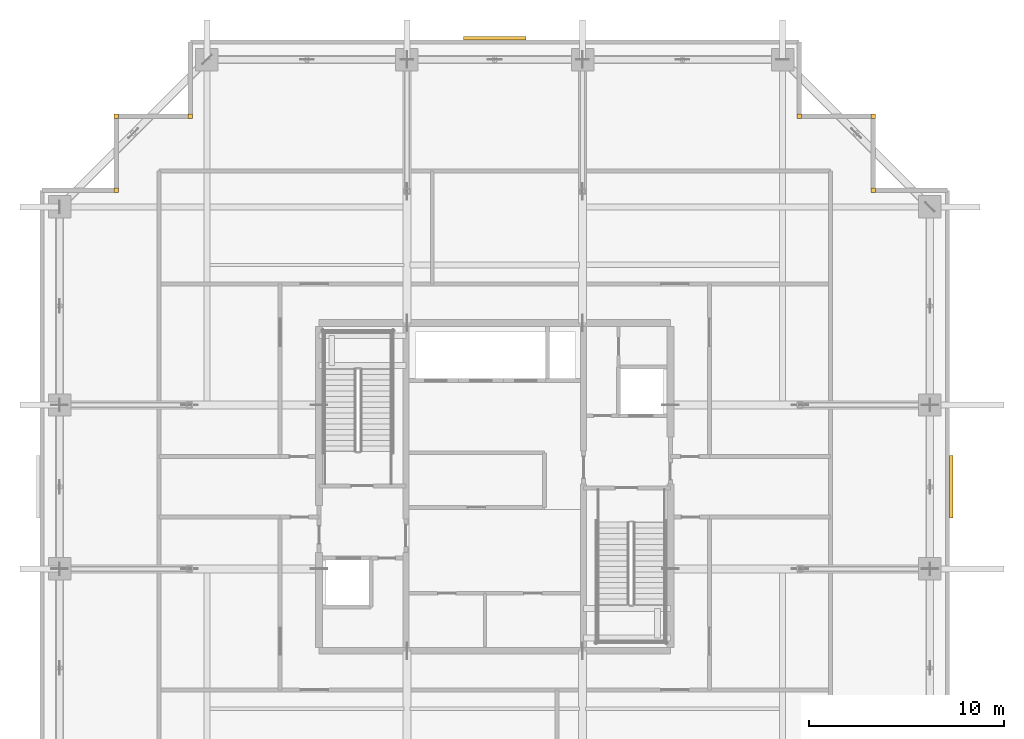
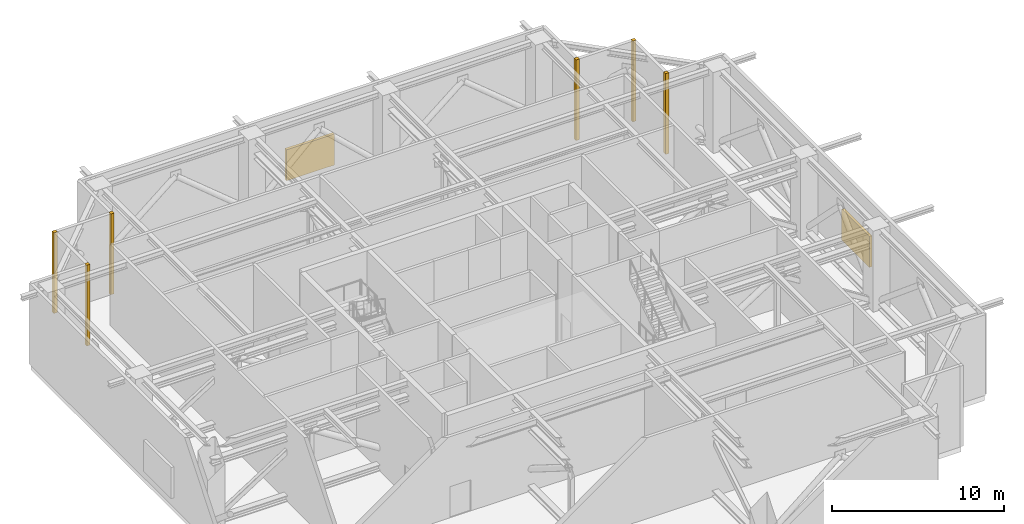
# One storey, part 22 of 22: 6 coverings, 2 shading devices.
"""IFC4 building model written with IfcOpenShell, lengths in metres."""

from ifc_helpers import new_model, si_unit, direction, frame, origin, origin_2d, place, context, subcontext, project, spatial, rectangle, extrude, source, transform, mapped, material, layer, layer_set, type_object, element, save


model = new_model("IFC4")

# Units and contexts
model_context = context("Model", 3, precision=1e-05, world=origin(), true_north=direction((0.0, 1.0)))
body_context = subcontext(model_context, "Body", "Model", "MODEL_VIEW")
ifc_project = project(units=[si_unit("LENGTHUNIT", "METRE"), si_unit("AREAUNIT", "SQUARE_METRE"), si_unit("VOLUMEUNIT", "CUBIC_METRE"), si_unit("PLANEANGLEUNIT", "RADIAN"), si_unit("MASSUNIT", "GRAM", prefix="KILO")], contexts=[model_context])

# Site, building, storey
site_placement = place(None, origin())
site = spatial("IfcSite", under=ifc_project, at=site_placement, CompositionType="ELEMENT")
building_placement = place(site_placement, origin())
building = spatial("IfcBuilding", under=site, at=building_placement, Name="Serunith Strait Residences", CompositionType="ELEMENT")
storey_placement = place(building_placement, frame((0.0, 0.0, 287.449951171875)))
storey = spatial("IfcBuildingStorey", under=building, at=storey_placement, Name="L72", CompositionType="ELEMENT", Elevation=287.449951171875)

# Shading devices
ifc_material_1 = material(Name="Anodised Aluminium Acoustic Storm Louvre", Category="aluminium")
shading_device_type = type_object("IfcShadingDeviceType", Name="SHD-WIND-LOUV", PredefinedType="JALOUSIE", material=ifc_material_1)
shared_shape_1 = source(origin(), body_context, "Body", "SweptSolid", [
    extrude(rectangle(XDim=3.199951171875, YDim=0.179931640625, at=origin_2d()), origin(), (0.0, 0.0, 1.0), 2.199951171875),
])
for number, where, z_axis, x_axis, name in (
    (1, (55.800048828125, 25.199951171875, 0.7001953125), (0.0, 0.0, 1.0), (0.0, 1.0, 0.0), "L72 E Plant Acoustic Storm Louvre"),
    (2, (32.39990234375, 48.199951171875, 0.7001953125), (0.0, 0.0, 1.0), (1.0, 0.0, 0.0), "L72 N Plant Acoustic Storm Louvre"),
):
    element("IfcShadingDevice", number, at=place(storey_placement, frame(where, z_axis=z_axis, x_axis=x_axis)), inside=storey, type_object=shading_device_type, Name=name, PredefinedType="JALOUSIE", context=body_context, shape_type="MappedRepresentation", body=[
        mapped(shared_shape_1, transform((0.0, 0.0, 0.0), scale=1.0)),
    ])

# Coverings
ifc_material_2 = material(Name="Pale-Champagne Anodised Aluminium", Category="aluminium")
ifc_layer = layer(ifc_material_2, 0.219970703125, Name="Pale-Champagne Anodised Aluminium")
ifc_layer_set = layer_set([ifc_layer], Name="Pale-Champagne Anodised Aluminium")
covering_type = type_object("IfcCoveringType", Name="COV-CORN-TRIM", PredefinedType="CLADDING", material=ifc_layer_set)
shared_shape_2 = source(origin(), body_context, "Body", "SweptSolid", [
    extrude(rectangle(XDim=0.221923828125, YDim=0.221923828125, at=origin_2d()), origin(), (0.0, 0.0, 1.0), 5.72509765625),
])
for number, where, z_axis, x_axis, name in (
    (3, (51.800048828125, 40.39990234375, 0.0), (0.0, 0.0, 1.0), (1.0, 0.0, 0.0), "L72 Girih Serrated Corner Trim Post 07"),
    (4, (51.800048828125, 44.199951171875, 0.0), (0.0, 0.0, 1.0), (1.0, 0.0, 0.0), "L72 Girih Serrated Corner Trim Post 08"),
    (5, (48.0, 44.199951171875, 0.0), (0.0, 0.0, 1.0), (1.0, 0.0, 0.0), "L72 Girih Serrated Corner Trim Post 09"),
    (6, (16.800048828125, 44.199951171875, 0.0), (0.0, 0.0, 1.0), (1.0, 0.0, 0.0), "L72 Girih Serrated Corner Trim Post 12"),
    (7, (13.0, 44.199951171875, 0.0), (0.0, 0.0, 1.0), (1.0, 0.0, 0.0), "L72 Girih Serrated Corner Trim Post 13"),
    (8, (13.0, 40.39990234375, 0.0), (0.0, 0.0, 1.0), (1.0, 0.0, 0.0), "L72 Girih Serrated Corner Trim Post 14"),
):
    element("IfcCovering", number, at=place(storey_placement, frame(where, z_axis=z_axis, x_axis=x_axis)), inside=storey, type_object=covering_type, Name=name, PredefinedType="CLADDING", context=body_context, shape_type="MappedRepresentation", body=[
        mapped(shared_shape_2, transform((0.0, 0.0, 0.0), scale=1.0)),
    ])

save(model, "model.ifc")
